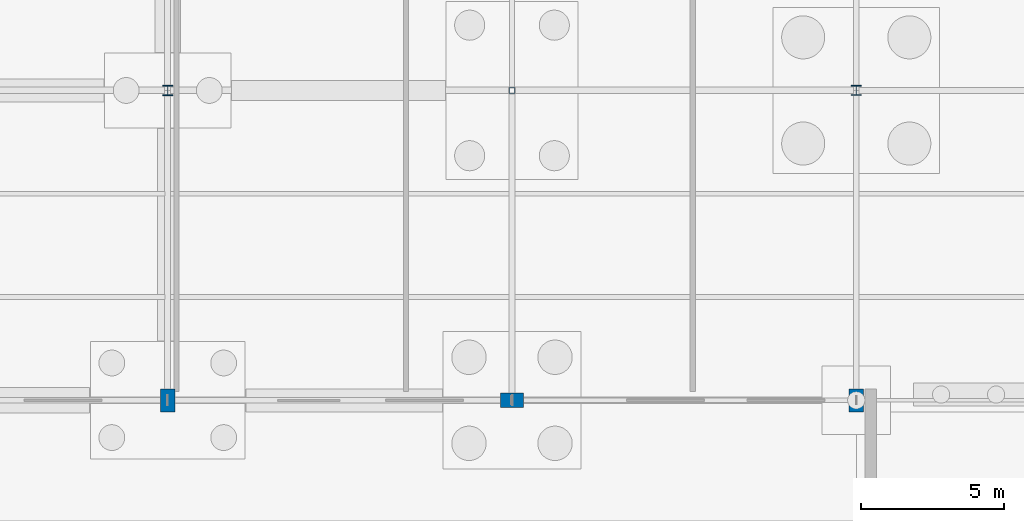
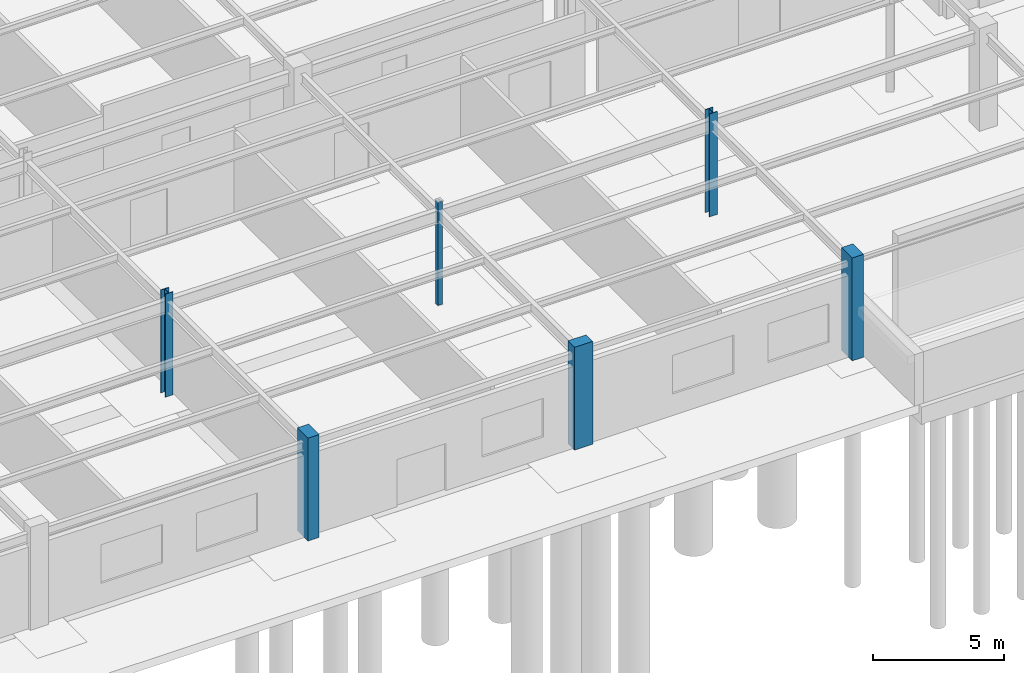
# One storey, part 13 of 136: 6 columns.
"""IFC4 building model written with IfcOpenShell, lengths in metres."""

from ifc_helpers import new_model, si_unit, direction, frame, origin, origin_2d, place, context, subcontext, project, spatial, rectangle, hollow_rectangle, i_section, extrude, material, material_profile, profile_set, type_object, element, save


model = new_model("IFC4")

# Units and contexts
model_context = context("Model", 3, precision=1e-05, world=origin(), true_north=direction((0.0, 1.0)))
body_context = subcontext(model_context, "Body", "Model", "MODEL_VIEW")
ifc_project = project(units=[si_unit("LENGTHUNIT", "METRE"), si_unit("AREAUNIT", "SQUARE_METRE"), si_unit("VOLUMEUNIT", "CUBIC_METRE"), si_unit("PLANEANGLEUNIT", "RADIAN"), si_unit("MASSUNIT", "GRAM", prefix="KILO")], contexts=[model_context])

# Site, building, storey
site_placement = place(None, origin())
site = spatial("IfcSite", under=ifc_project, at=site_placement, CompositionType="ELEMENT")
building_placement = place(site_placement, origin())
building = spatial("IfcBuilding", under=site, at=building_placement, Name="Tarnwether General Hospital", CompositionType="ELEMENT")
storey_placement = place(building_placement, frame((0.0, 0.0, -4.800048828125)))
storey = spatial("IfcBuildingStorey", under=building, at=storey_placement, Name="LG", CompositionType="ELEMENT", Elevation=-4.800048828125)

# Columns
ifc_material_1 = material(Name="Steel Grade 350 (350 MPa)", Category="steel")
ifc_material_profile_1 = material_profile(ifc_material_1, i_section(OverallWidth=0.35009765625, OverallDepth=0.360107421875, WebThickness=0.01611328125, FlangeThickness=0.028076171875, at=origin_2d()), Name="350WC230")
ifc_profile_set_1 = profile_set([ifc_material_profile_1], Name="Steel Grade 350 (350 MPa)")
column_type_1 = type_object("IfcColumnType", Name="COL-03", PredefinedType="COLUMN", material=ifc_profile_set_1)
column_1_placement = place(storey_placement, frame((24.0, 10.800048828125, 0.0), z_axis=(0.0, 0.0, 1.0), x_axis=(1.0, 0.0, 0.0)))
element("IfcColumn", 1, at=column_1_placement, inside=storey, type_object=column_type_1, Name="Column COLG-LG-2400_1080", PredefinedType="COLUMN", context=body_context, shape_type="SweptSolid", body=[
    extrude(i_section(OverallWidth=0.35009765625, OverallDepth=0.360107421875, WebThickness=0.01611328125, FlangeThickness=0.028076171875, at=origin_2d()), origin(), (0.0, 0.0, 1.0), 4.800048828125),
])
ifc_material_2 = material(Name="Steel Grade 350 (350 MPa)", Category="steel")
ifc_material_profile_2 = material_profile(ifc_material_2, i_section(OverallWidth=0.35009765625, OverallDepth=0.35009765625, WebThickness=0.013916015625, FlangeThickness=0.02392578125, at=origin_2d()), Name="350WC197")
ifc_profile_set_2 = profile_set([ifc_material_profile_2], Name="Steel Grade 350 (350 MPa)")
column_type_2 = type_object("IfcColumnType", Name="COL-04", PredefinedType="COLUMN", material=ifc_profile_set_2)
column_2_placement = place(storey_placement, frame((48.0, 10.800048828125, 0.0), z_axis=(0.0, 0.0, 1.0), x_axis=(1.0, 0.0, 0.0)))
element("IfcColumn", 2, at=column_2_placement, inside=storey, type_object=column_type_2, Name="Column COLG-LG-4800_1080", PredefinedType="COLUMN", context=body_context, shape_type="SweptSolid", body=[
    extrude(i_section(OverallWidth=0.35009765625, OverallDepth=0.35009765625, WebThickness=0.013916015625, FlangeThickness=0.02392578125, at=origin_2d()), origin(), (0.0, 0.0, 1.0), 4.800048828125),
])
ifc_material_3 = material(Name="Steel Grade C350L0 (350 MPa)", Category="steel")
ifc_material_profile_3 = material_profile(ifc_material_3, hollow_rectangle(XDim=0.199951171875, YDim=0.199951171875, WallThickness=0.010009765625, at=origin_2d()), Name="SHS200x200x10")
ifc_profile_set_3 = profile_set([ifc_material_profile_3], Name="Steel Grade C350L0 (350 MPa)")
column_type_3 = type_object("IfcColumnType", Name="COL-15", PredefinedType="COLUMN", material=ifc_profile_set_3)
column_3_placement = place(storey_placement, frame((36.0, 10.800048828125, 0.0), z_axis=(0.0, 0.0, 1.0), x_axis=(0.0, 1.0, 0.0)))
element("IfcColumn", 3, at=column_3_placement, inside=storey, type_object=column_type_3, Name="Column COLG-LG-3600_1080", PredefinedType="COLUMN", context=body_context, shape_type="SweptSolid", body=[
    extrude(hollow_rectangle(XDim=0.199951171875, YDim=0.199951171875, WallThickness=0.010009765625, at=origin_2d()), origin(), (0.0, 0.0, 1.0), 4.800048828125),
])
ifc_material_4 = material(Name="Concrete 50 MPa", Category="concrete")
ifc_material_profile_4 = material_profile(ifc_material_4, rectangle(XDim=0.5, YDim=0.800048828125, at=origin_2d()), Name="RC-PIL-500x800")
ifc_profile_set_4 = profile_set([ifc_material_profile_4], Name="Concrete 50 MPa")
column_type_4 = type_object("IfcColumnType", Name="COL-23", PredefinedType="PILASTER", material=ifc_profile_set_4)
for number, where, z_axis, x_axis, name in (
    (4, (24.0, 0.0, 0.0), (0.0, 0.0, 1.0), (1.0, 0.0, 0.0), "Column COLG-LG-2400_0"),
    (5, (36.0, 0.0, 0.0), (0.0, 0.0, 1.0), (0.0, 1.0, 0.0), "Column COLG-LG-3600_0"),
    (6, (48.0, 0.0, 0.0), (0.0, 0.0, 1.0), (1.0, 0.0, 0.0), "Column COLG-LG-4800_0"),
):
    element("IfcColumn", number, at=place(storey_placement, frame(where, z_axis=z_axis, x_axis=x_axis)), inside=storey, type_object=column_type_4, Name=name, PredefinedType="PILASTER", context=body_context, shape_type="SweptSolid", body=[
        extrude(rectangle(XDim=0.5, YDim=0.800048828125, at=origin_2d()), origin(), (0.0, 0.0, 1.0), 4.800048828125),
    ])

save(model, "model.ifc")
